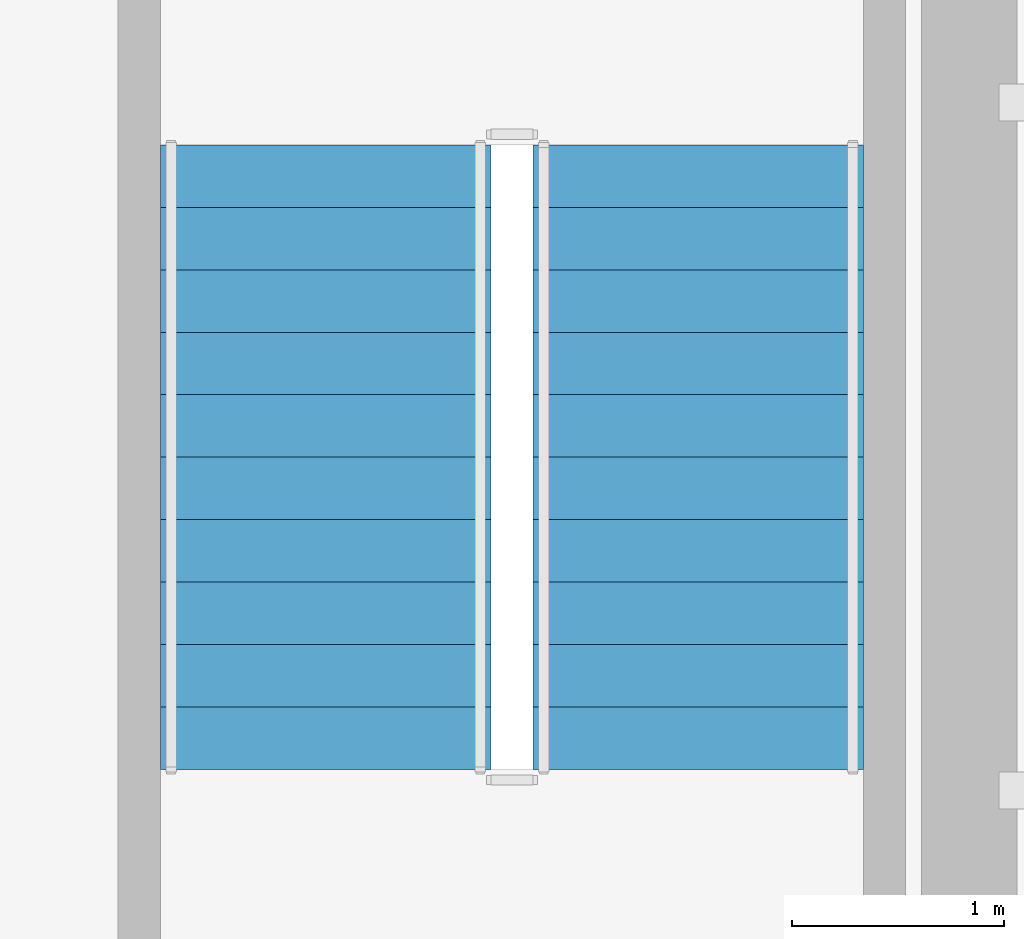
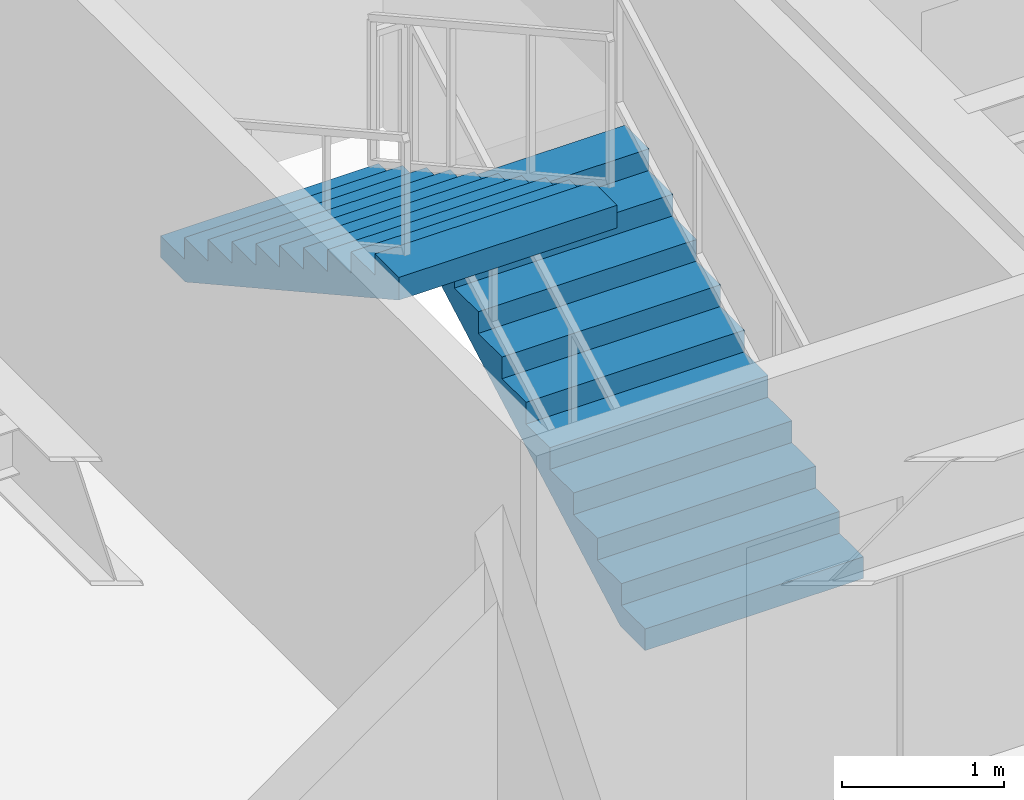
# One storey, part 27 of 29: 2 stair flights, 1 element without a shape of its own.
"""IFC4 building model written with IfcOpenShell, lengths in metres."""

from ifc_helpers import new_model, si_unit, direction, frame, origin, place, context, subcontext, project, spatial, polyline, outline, extrude, material, type_object, element, aggregate, save


model = new_model("IFC4")

# Units and contexts
model_context = context("Model", 3, precision=1e-05, world=origin(), true_north=direction((0.0, 1.0)))
body_context = subcontext(model_context, "Body", "Model", "MODEL_VIEW")
ifc_project = project(units=[si_unit("LENGTHUNIT", "METRE"), si_unit("AREAUNIT", "SQUARE_METRE"), si_unit("VOLUMEUNIT", "CUBIC_METRE"), si_unit("PLANEANGLEUNIT", "RADIAN"), si_unit("MASSUNIT", "GRAM", prefix="KILO")], contexts=[model_context])

# Site, building, storey
site_placement = place(None, origin())
site = spatial("IfcSite", under=ifc_project, at=site_placement, CompositionType="ELEMENT")
building_placement = place(site_placement, origin())
building = spatial("IfcBuilding", under=site, at=building_placement, Name="Brelmoor Portico Tower", CompositionType="ELEMENT")
storey_placement = place(building_placement, frame((0.0, 0.0, 201.89990234375)))
storey = spatial("IfcBuildingStorey", under=building, at=storey_placement, Name="L53", CompositionType="ELEMENT", Elevation=201.89990234375)

# Stair, stair flights
ifc_material = material(Name="Concrete C40", Category="concrete")
stair_type = type_object("IfcStairType", Name="ST-CORE-E", PredefinedType="HALF_TURN_STAIR", material=ifc_material)
stair_placement = place(storey_placement, origin())
stair = element("IfcStair", 1, at=stair_placement, inside=storey, type_object=stair_type, Name="L53 Protected Core Exit Stair ST-E", PredefinedType="HALF_TURN_STAIR")
stair_flight_type = type_object("IfcStairFlightType", Name="SF-CORE-1850", PredefinedType="STRAIGHT", material=ifc_material)
stair_flight_1_placement = place(storey_placement, frame((13.27001953125, 3.35009765625, 0.0), z_axis=(0.0, 0.0, 1.0), x_axis=(0.0, 1.0, 0.0)))
stair_flight_1 = element("IfcStairFlight", 2, at=stair_flight_1_placement, type_object=stair_flight_type, Name="ST-E flight 1", NumberOfRisers=11, NumberOfTreads=10, PredefinedType="STRAIGHT", RiserHeight=0.163636364, TreadLength=0.295, context=body_context, shape_type="SweptSolid", body=[
    extrude(outline(polyline([(0.0, 0.0), (0.0, 0.16357421875), (0.294921875, 0.16357421875), (0.294921875, 0.327392578125), (0.590087890625, 0.327392578125), (0.590087890625, 0.490966796875), (0.885009765625, 0.490966796875), (0.885009765625, 0.654541015625), (1.179931640625, 0.654541015625), (1.179931640625, 0.818115234375), (1.47509765625, 0.818115234375), (1.47509765625, 0.98193359375), (1.77001953125, 0.98193359375), (1.77001953125, 1.1455078125), (2.06494140625, 1.1455078125), (2.06494140625, 1.30908203125), (2.360107421875, 1.30908203125), (2.360107421875, 1.47265625), (2.655029296875, 1.47265625), (2.655029296875, 1.636474609375), (2.949951171875, 1.636474609375), (2.949951171875, 1.800048828125), (2.949951171875, 1.46484375), (0.30908203125, 0.0), (0.0, 0.0)])), frame((0.0, 0.780029296875, 0.0), z_axis=(0.0, -1.0, 0.0), x_axis=(1.0, 0.0, 0.0)), (0.0, 0.0, 1.0), 1.56005859375),
])
stair_flight_2_placement = place(storey_placement, frame((11.510009765625, 6.300048828125, 1.800048828125), z_axis=(0.0, 0.0, 1.0), x_axis=(0.0, -1.0, 0.0)))
stair_flight_2 = element("IfcStairFlight", 3, at=stair_flight_2_placement, type_object=stair_flight_type, Name="ST-E flight 2", NumberOfRisers=11, NumberOfTreads=10, PredefinedType="STRAIGHT", RiserHeight=0.163636364, TreadLength=0.295, context=body_context, shape_type="SweptSolid", body=[
    extrude(outline(polyline([(0.0, 0.0), (0.0, 0.16357421875), (0.294921875, 0.16357421875), (0.294921875, 0.327392578125), (0.590087890625, 0.327392578125), (0.590087890625, 0.490966796875), (0.885009765625, 0.490966796875), (0.885009765625, 0.654541015625), (1.179931640625, 0.654541015625), (1.179931640625, 0.818115234375), (1.47509765625, 0.818115234375), (1.47509765625, 0.98193359375), (1.77001953125, 0.98193359375), (1.77001953125, 1.1455078125), (2.06494140625, 1.1455078125), (2.06494140625, 1.30908203125), (2.360107421875, 1.30908203125), (2.360107421875, 1.47265625), (2.655029296875, 1.47265625), (2.655029296875, 1.636474609375), (2.949951171875, 1.636474609375), (2.949951171875, 1.800048828125), (2.949951171875, 1.46484375), (0.30908203125, 0.0), (0.0, 0.0)])), frame((0.0, 0.780029296875, 0.0), z_axis=(0.0, -1.0, 0.0), x_axis=(1.0, 0.0, 0.0)), (0.0, 0.0, 1.0), 1.56005859375),
])
aggregate(stair, [stair_flight_1, stair_flight_2])

save(model, "model.ifc")
